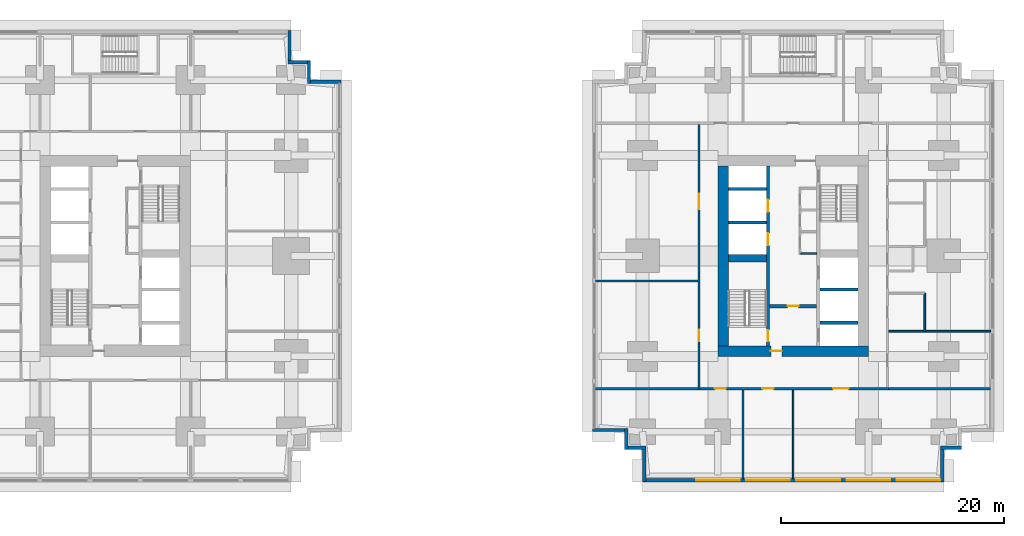
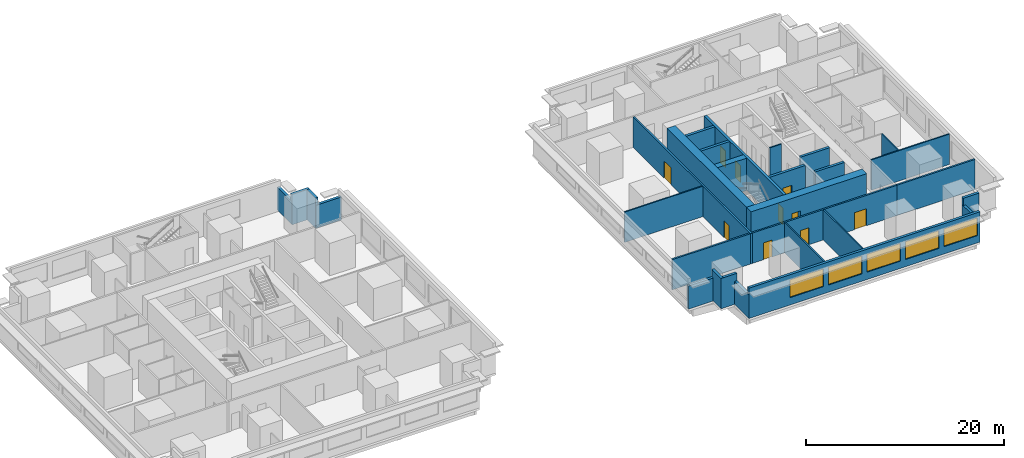
# One storey, part 6 of 12: 30 walls, 10 doors, 5 windows, 15 openings.
"""IFC4 building model written with IfcOpenShell, lengths in metres."""

from ifc_helpers import new_model, si_unit, direction, frame, frame_2d, origin, place, context, subcontext, project, spatial, rectangle, extrude, material, layer, layer_set, type_object, element, fill, save


model = new_model("IFC4")

# Units and contexts
model_context = context("Model", 3, precision=1e-05, world=origin(), true_north=direction((0.0, 1.0)))
body_context = subcontext(model_context, "Body", "Model", "MODEL_VIEW")
ifc_project = project(units=[si_unit("LENGTHUNIT", "METRE"), si_unit("AREAUNIT", "SQUARE_METRE"), si_unit("VOLUMEUNIT", "CUBIC_METRE"), si_unit("PLANEANGLEUNIT", "RADIAN"), si_unit("MASSUNIT", "GRAM", prefix="KILO")], contexts=[model_context])

# Site, building, storey
site_placement = place(None, origin())
site = spatial("IfcSite", under=ifc_project, at=site_placement, CompositionType="ELEMENT")
building_placement = place(site_placement, origin())
building = spatial("IfcBuilding", under=site, at=building_placement, Name="Namib Vertical Campus", CompositionType="ELEMENT")
storey_placement = place(building_placement, frame((0.0, 0.0, 45.0)))
storey = spatial("IfcBuildingStorey", under=building, at=storey_placement, Name="L10", CompositionType="ELEMENT", Elevation=45.0)

# Wall, openings, doors
ifc_material_1 = material(Name="Concrete C60/75", Category="concrete")
ifc_layer_1 = layer(ifc_material_1, 0.300048828125)
ifc_layer_set_1 = layer_set([ifc_layer_1], Name="Concrete C60/75")
wall_type_1 = type_object("IfcWallType", Name="Core inner wall 300", PredefinedType="SHEAR", material=ifc_layer_set_1)
wall_1_placement = place(storey_placement, frame((78.75, 12.199951171875, 0.0), z_axis=(0.0, 0.0, 1.0), x_axis=(0.0, 1.0, 0.0)))
wall_1 = element("IfcWall", 1, at=wall_1_placement, inside=storey, type_object=wall_type_1, Name="Core inner wall B L10 W1", PredefinedType="SHEAR", context=body_context, shape_type="SweptSolid", body=[
    extrude(rectangle(XDim=16.10009765625, YDim=0.300048828125, at=frame_2d((8.050048828125, 0.0))), origin(), (0.0, 0.0, 1.0), 4.0),
])
opening_1_placement = place(wall_1_placement, frame((0.39990234375, 0.0, 0.0)))
opening_1 = element("IfcOpeningElement", 2, at=opening_1_placement, cuts=wall_1, Name="Opening FD1", PredefinedType="OPENING", context=body_context, shape_type="SweptSolid", body=[
    extrude(rectangle(XDim=1.0, YDim=2.10009765625, at=frame_2d((0.5, 1.050048828125))), frame((0.0, 0.159912109375, 0.0), z_axis=(0.0, -1.0, 0.0), x_axis=(1.0, 0.0, 0.0)), (0.0, 0.0, 1.0), 0.320068359375),
])
opening_2_placement = place(wall_1_placement, frame((9.0, 0.0, 0.0)))
opening_2 = element("IfcOpeningElement", 3, at=opening_2_placement, cuts=wall_1, Name="Opening LD1", PredefinedType="OPENING", context=body_context, shape_type="SweptSolid", body=[
    extrude(rectangle(XDim=1.10009765625, YDim=2.10009765625, at=frame_2d((0.550048828125, 1.050048828125))), frame((0.0, 0.159912109375, 0.0), z_axis=(0.0, -1.0, 0.0), x_axis=(1.0, 0.0, 0.0)), (0.0, 0.0, 1.0), 0.320068359375),
])
opening_3_placement = place(wall_1_placement, frame((12.0, 0.0, 0.0)))
opening_3 = element("IfcOpeningElement", 4, at=opening_3_placement, cuts=wall_1, Name="Opening LD1", PredefinedType="OPENING", context=body_context, shape_type="SweptSolid", body=[
    extrude(rectangle(XDim=1.10009765625, YDim=2.10009765625, at=frame_2d((0.550048828125, 1.050048828125))), frame((0.0, 0.159912109375, 0.0), z_axis=(0.0, -1.0, 0.0), x_axis=(1.0, 0.0, 0.0)), (0.0, 0.0, 1.0), 0.320068359375),
])
ifc_material_2 = material(Name="Steel fire door", Category="steel")
door_type_1 = type_object("IfcDoorType", Name="Fire door 1000x2100", OperationType="SINGLE_SWING_RIGHT", PredefinedType="DOOR", material=ifc_material_2)
door_1_placement = place(opening_1_placement, origin())
door_1 = element("IfcDoor", 5, at=door_1_placement, inside=storey, type_object=door_type_1, Name="Stair door FD1 B L10 S1", OperationType="SINGLE_SWING_LEFT", OverallHeight=2.10009765625, OverallWidth=1.0, PredefinedType="DOOR", context=body_context, shape_type="SweptSolid", body=[
    extrude(rectangle(XDim=1.0, YDim=2.10009765625, at=frame_2d((0.5, 1.050048828125))), frame((0.0, 0.02490234375, 0.0), z_axis=(0.0, -1.0, 0.0), x_axis=(1.0, 0.0, 0.0)), (0.0, 0.0, 1.0), 0.050048828125),
])
fill(opening_1, door_1)
ifc_material_3 = material(Name="Stainless steel lift door", Category="steel")
door_type_2 = type_object("IfcDoorType", Name="Lift landing door 1100x2100", OperationType="DOUBLE_DOOR_SLIDING", PredefinedType="DOOR", material=ifc_material_3)
door_2_placement = place(opening_2_placement, origin())
door_2 = element("IfcDoor", 6, at=door_2_placement, inside=storey, type_object=door_type_2, Name="Lift landing door LD1 B-P1 L10", OperationType="DOUBLE_DOOR_SLIDING", OverallHeight=2.10009765625, OverallWidth=1.10009765625, PredefinedType="DOOR", context=body_context, shape_type="SweptSolid", body=[
    extrude(rectangle(XDim=1.10009765625, YDim=2.10009765625, at=frame_2d((0.550048828125, 1.050048828125))), frame((0.0, 0.02490234375, 0.0), z_axis=(0.0, -1.0, 0.0), x_axis=(1.0, 0.0, 0.0)), (0.0, 0.0, 1.0), 0.050048828125),
])
fill(opening_2, door_2)
door_3_placement = place(opening_3_placement, origin())
door_3 = element("IfcDoor", 7, at=door_3_placement, inside=storey, type_object=door_type_2, Name="Lift landing door LD1 B-P2 L10", OperationType="DOUBLE_DOOR_SLIDING", OverallHeight=2.10009765625, OverallWidth=1.10009765625, PredefinedType="DOOR", context=body_context, shape_type="SweptSolid", body=[
    extrude(rectangle(XDim=1.10009765625, YDim=2.10009765625, at=frame_2d((0.550048828125, 1.050048828125))), frame((0.0, 0.02490234375, 0.0), z_axis=(0.0, -1.0, 0.0), x_axis=(1.0, 0.0, 0.0)), (0.0, 0.0, 1.0), 0.050048828125),
])
fill(opening_3, door_3)

# Wall, opening, door
wall_2_placement = place(storey_placement, frame((78.89990234375, 15.75, 0.0), z_axis=(0.0, 0.0, 1.0), x_axis=(1.0, 0.0, 0.0)))
wall_2 = element("IfcWall", 8, at=wall_2_placement, inside=storey, type_object=wall_type_1, Name="Core inner wall B L10 W4", PredefinedType="SHEAR", context=body_context, shape_type="SweptSolid", body=[
    extrude(rectangle(XDim=4.2001953125, YDim=0.300048828125, at=frame_2d((2.10009765625, 0.0))), origin(), (0.0, 0.0, 1.0), 4.0),
])
opening_4_placement = place(wall_2_placement, frame((1.60009765625, 0.0, 0.0)))
opening_4 = element("IfcOpeningElement", 9, at=opening_4_placement, cuts=wall_2, Name="Opening FD5", PredefinedType="OPENING", context=body_context, shape_type="SweptSolid", body=[
    extrude(rectangle(XDim=1.0, YDim=2.10009765625, at=frame_2d((0.5, 1.050048828125))), frame((0.0, 0.159912109375, 0.0), z_axis=(0.0, -1.0, 0.0), x_axis=(1.0, 0.0, 0.0)), (0.0, 0.0, 1.0), 0.320068359375),
])
ifc_material_4 = material(Name="Steel fire door", Category="steel")
door_type_3 = type_object("IfcDoorType", Name="Fire door 1000x2100 120 min", OperationType="SINGLE_SWING_RIGHT", PredefinedType="DOOR", material=ifc_material_4)
door_4_placement = place(opening_4_placement, frame((1.0, 0.0, 0.0), z_axis=(0.0, 0.0, 1.0), x_axis=(-1.0, 0.0, 0.0)))
door_4 = element("IfcDoor", 10, at=door_4_placement, inside=storey, type_object=door_type_3, Name="Lobby door FD5 B L10", OperationType="SINGLE_SWING_RIGHT", OverallHeight=2.10009765625, OverallWidth=1.0, PredefinedType="DOOR", context=body_context, shape_type="SweptSolid", body=[
    extrude(rectangle(XDim=1.0, YDim=2.10009765625, at=frame_2d((0.5, 1.050048828125))), frame((0.0, 0.02490234375, 0.0), z_axis=(0.0, -1.0, 0.0), x_axis=(1.0, 0.0, 0.0)), (0.0, 0.0, 1.0), 0.050048828125),
])
fill(opening_4, door_4)

# Walls
for number, where, z_axis, x_axis, name in (
    (11, (83.39990234375, 14.25, 0.0), (0.0, 0.0, 1.0), (1.0, 0.0, 0.0), "Core inner wall B L10 W5"),
    (12, (83.39990234375, 17.25, 0.0), (0.0, 0.0, 1.0), (1.0, 0.0, 0.0), "Core inner wall B L10 W6"),
    (13, (75.199951171875, 23.25, 0.0), (0.0, 0.0, 1.0), (1.0, 0.0, 0.0), "Core inner wall B L10 W8"),
    (14, (75.199951171875, 26.25, 0.0), (0.0, 0.0, 1.0), (1.0, 0.0, 0.0), "Core inner wall B L10 W9"),
):
    element("IfcWall", number, at=place(storey_placement, frame(where, z_axis=z_axis, x_axis=x_axis)), inside=storey, type_object=wall_type_1, Name=name, PredefinedType="SHEAR", context=body_context, shape_type="SweptSolid", body=[
        extrude(rectangle(XDim=3.400146484375, YDim=0.300048828125, at=frame_2d((1.7001953125, 0.0))), origin(), (0.0, 0.0, 1.0), 4.0),
    ])
ifc_material_5 = material(Name="Concrete C60/75", Category="concrete")
ifc_layer_2 = layer(ifc_material_5, 0.699951171875)
ifc_layer_set_2 = layer_set([ifc_layer_2], Name="Concrete C60/75")
wall_type_2 = type_object("IfcWallType", Name="Core shear wall 700", PredefinedType="SHEAR", material=ifc_layer_set_2)
wall_3_placement = place(storey_placement, frame((75.199951171875, 20.050048828125, 0.0), z_axis=(0.0, 0.0, 1.0), x_axis=(1.0, 0.0, 0.0)))
element("IfcWall", 15, at=wall_3_placement, inside=storey, type_object=wall_type_2, Name="Core shear wall B L10 W3", PredefinedType="SHEAR", context=body_context, shape_type="SweptSolid", body=[
    extrude(rectangle(XDim=3.400146484375, YDim=0.699951171875, at=frame_2d((1.7001953125, 0.0))), origin(), (0.0, 0.0, 1.0), 4.0),
])

# Wall, opening, door
ifc_material_6 = material(Name="Concrete C60/75", Category="concrete")
ifc_layer_3 = layer(ifc_material_6, 0.949951171875)
ifc_layer_set_3 = layer_set([ifc_layer_3], Name="Concrete C60/75")
wall_type_3 = type_object("IfcWallType", Name="Core wall 950", PredefinedType="SHEAR", material=ifc_layer_set_3)
wall_4_placement = place(storey_placement, frame((74.25, 11.72509765625, 0.0), z_axis=(0.0, 0.0, 1.0), x_axis=(1.0, 0.0, 0.0)))
wall_4 = element("IfcWall", 16, at=wall_4_placement, inside=storey, type_object=wall_type_3, Name="Core wall B L10 1", PredefinedType="SHEAR", context=body_context, shape_type="SweptSolid", body=[
    extrude(rectangle(XDim=13.5, YDim=0.949951171875, at=frame_2d((6.75, 0.0))), origin(), (0.0, 0.0, 1.0), 4.0),
])
opening_5_placement = place(wall_4_placement, frame((4.75, 0.0, 0.0)))
opening_5 = element("IfcOpeningElement", 17, at=opening_5_placement, cuts=wall_4, Name="Opening FD5", PredefinedType="OPENING", context=body_context, shape_type="SweptSolid", body=[
    extrude(rectangle(XDim=1.0, YDim=2.10009765625, at=frame_2d((0.5, 1.050048828125))), frame((0.0, 0.48486328125, 0.0), z_axis=(0.0, -1.0, 0.0), x_axis=(1.0, 0.0, 0.0)), (0.0, 0.0, 1.0), 0.969970703125),
])
door_5_placement = place(opening_5_placement, origin())
door_5 = element("IfcDoor", 18, at=door_5_placement, inside=storey, type_object=door_type_3, Name="Firefighting lobby door FD5 B L10", OperationType="SINGLE_SWING_LEFT", OverallHeight=2.10009765625, OverallWidth=1.0, PredefinedType="DOOR", context=body_context, shape_type="SweptSolid", body=[
    extrude(rectangle(XDim=1.0, YDim=2.10009765625, at=frame_2d((0.5, 1.050048828125))), frame((0.0, 0.02490234375, 0.0), z_axis=(0.0, -1.0, 0.0), x_axis=(1.0, 0.0, 0.0)), (0.0, 0.0, 1.0), 0.050048828125),
])
fill(opening_5, door_5)

# Wall
wall_5_placement = place(storey_placement, frame((74.72509765625, 28.300048828125, 0.0), z_axis=(0.0, 0.0, 1.0), x_axis=(0.0, -1.0, 0.0)))
element("IfcWall", 19, at=wall_5_placement, inside=storey, type_object=wall_type_3, Name="Core wall B L10 4", PredefinedType="SHEAR", context=body_context, shape_type="SweptSolid", body=[
    extrude(rectangle(XDim=16.10009765625, YDim=0.949951171875, at=frame_2d((8.050048828125, 0.0))), origin(), (0.0, 0.0, 1.0), 4.0),
])

# Wall, openings, doors
ifc_material_7 = material(Name="Concrete masonry", Category="masonry")
ifc_layer_4 = layer(ifc_material_7, 0.199951171875)
ifc_layer_set_4 = layer_set([ifc_layer_4], Name="Corridor wall 200")
wall_type_4 = type_object("IfcWallType", Name="Corridor wall 200", PredefinedType="SOLIDWALL", material=ifc_layer_set_4)
wall_6_placement = place(storey_placement, frame((72.64990234375, 8.35009765625, 0.0), z_axis=(0.0, 0.0, 1.0), x_axis=(1.0, 0.0, 0.0)))
wall_6 = element("IfcWall", 20, at=wall_6_placement, inside=storey, type_object=wall_type_4, Name="Corridor wall B L10 CS", PredefinedType="SOLIDWALL", context=body_context, shape_type="SweptSolid", body=[
    extrude(rectangle(XDim=16.900146484375, YDim=0.199951171875, at=frame_2d((8.4501953125, 0.0))), origin(), (0.0, 0.0, 1.0), 3.75),
])
opening_6_placement = place(wall_6_placement, frame((1.324951171875, 0.0, 0.0)))
opening_6 = element("IfcOpeningElement", 21, at=opening_6_placement, cuts=wall_6, Name="Opening CD1", PredefinedType="OPENING", context=body_context, shape_type="SweptSolid", body=[
    extrude(rectangle(XDim=1.0, YDim=2.10009765625, at=frame_2d((0.5, 1.050048828125))), frame((0.0, 0.10986328125, 0.0), z_axis=(0.0, -1.0, 0.0), x_axis=(1.0, 0.0, 0.0)), (0.0, 0.0, 1.0), 0.219970703125),
])
opening_7_placement = place(wall_6_placement, frame((5.60009765625, 0.0, 0.0)))
opening_7 = element("IfcOpeningElement", 22, at=opening_7_placement, cuts=wall_6, Name="Opening CD1", PredefinedType="OPENING", context=body_context, shape_type="SweptSolid", body=[
    extrude(rectangle(XDim=1.0, YDim=2.10009765625, at=frame_2d((0.5, 1.050048828125))), frame((0.0, 0.10986328125, 0.0), z_axis=(0.0, -1.0, 0.0), x_axis=(1.0, 0.0, 0.0)), (0.0, 0.0, 1.0), 0.219970703125),
])
opening_8_placement = place(wall_6_placement, frame((11.925048828125, 0.0, 0.0)))
opening_8 = element("IfcOpeningElement", 23, at=opening_8_placement, cuts=wall_6, Name="Opening LB1", PredefinedType="OPENING", context=body_context, shape_type="SweptSolid", body=[
    extrude(rectangle(XDim=1.39990234375, YDim=2.10009765625, at=frame_2d((0.699951171875, 1.050048828125))), frame((0.0, 0.10986328125, 0.0), z_axis=(0.0, -1.0, 0.0), x_axis=(1.0, 0.0, 0.0)), (0.0, 0.0, 1.0), 0.219970703125),
])
ifc_material_8 = material(Name="Timber fire door leaf", Category="wood")
door_type_4 = type_object("IfcDoorType", Name="Corridor door 1000x2100 20 min", OperationType="SINGLE_SWING_LEFT", PredefinedType="DOOR", material=ifc_material_8)
door_6_placement = place(opening_6_placement, frame((1.0, 0.0, 0.0), z_axis=(0.0, 0.0, 1.0), x_axis=(-1.0, 0.0, 0.0)))
door_6 = element("IfcDoor", 24, at=door_6_placement, inside=storey, type_object=door_type_4, Name="Door CD1 B10-01", OperationType="SINGLE_SWING_LEFT", OverallHeight=2.10009765625, OverallWidth=1.0, PredefinedType="DOOR", context=body_context, shape_type="SweptSolid", body=[
    extrude(rectangle(XDim=1.0, YDim=2.10009765625, at=frame_2d((0.5, 1.050048828125))), frame((0.0, 0.02490234375, 0.0), z_axis=(0.0, -1.0, 0.0), x_axis=(1.0, 0.0, 0.0)), (0.0, 0.0, 1.0), 0.050048828125),
])
fill(opening_6, door_6)
door_7_placement = place(opening_7_placement, frame((1.0, 0.0, 0.0), z_axis=(0.0, 0.0, 1.0), x_axis=(-1.0, 0.0, 0.0)))
door_7 = element("IfcDoor", 25, at=door_7_placement, inside=storey, type_object=door_type_4, Name="Door CD1 B10-02", OperationType="SINGLE_SWING_RIGHT", OverallHeight=2.10009765625, OverallWidth=1.0, PredefinedType="DOOR", context=body_context, shape_type="SweptSolid", body=[
    extrude(rectangle(XDim=1.0, YDim=2.10009765625, at=frame_2d((0.5, 1.050048828125))), frame((0.0, 0.02490234375, 0.0), z_axis=(0.0, -1.0, 0.0), x_axis=(1.0, 0.0, 0.0)), (0.0, 0.0, 1.0), 0.050048828125),
])
fill(opening_7, door_7)
ifc_material_9 = material(Name="Timber fire door leaf", Category="wood")
door_type_5 = type_object("IfcDoorType", Name="Laboratory door 1400x2100 leaf and a half", OperationType="DOUBLE_DOOR_SINGLE_SWING", PredefinedType="DOOR", material=ifc_material_9)
door_8_placement = place(opening_8_placement, frame((1.39990234375, 0.0, 0.0), z_axis=(0.0, 0.0, 1.0), x_axis=(-1.0, 0.0, 0.0)))
door_8 = element("IfcDoor", 26, at=door_8_placement, inside=storey, type_object=door_type_5, Name="Door LB1 B10-03", OperationType="DOUBLE_DOOR_SINGLE_SWING", OverallHeight=2.10009765625, OverallWidth=1.39990234375, PredefinedType="DOOR", context=body_context, shape_type="SweptSolid", body=[
    extrude(rectangle(XDim=1.39990234375, YDim=2.10009765625, at=frame_2d((0.699951171875, 1.050048828125))), frame((0.0, 0.02490234375, 0.0), z_axis=(0.0, -1.0, 0.0), x_axis=(1.0, 0.0, 0.0)), (0.0, 0.0, 1.0), 0.050048828125),
])
fill(opening_8, door_8)

wall_7_placement = place(storey_placement, frame((72.550048828125, 32.050048828125, 0.0), z_axis=(0.0, 0.0, 1.0), x_axis=(0.0, -1.0, 0.0)))
wall_7 = element("IfcWall", 27, at=wall_7_placement, inside=storey, type_object=wall_type_4, Name="Corridor wall B L10 CW", PredefinedType="SOLIDWALL", context=body_context, shape_type="SweptSolid", body=[
    extrude(rectangle(XDim=23.800048828125, YDim=0.199951171875, at=frame_2d((11.89990234375, 0.0))), origin(), (0.0, 0.0, 1.0), 3.75),
])
opening_9_placement = place(wall_7_placement, frame((18.425048828125, 0.0, 0.0)))
opening_9 = element("IfcOpeningElement", 28, at=opening_9_placement, cuts=wall_7, Name="Opening CD1", PredefinedType="OPENING", context=body_context, shape_type="SweptSolid", body=[
    extrude(rectangle(XDim=1.0, YDim=2.10009765625, at=frame_2d((0.5, 1.050048828125))), frame((0.0, 0.10986328125, 0.0), z_axis=(0.0, -1.0, 0.0), x_axis=(1.0, 0.0, 0.0)), (0.0, 0.0, 1.0), 0.219970703125),
])
opening_10_placement = place(wall_7_placement, frame((6.22509765625, 0.0, 0.0)))
opening_10 = element("IfcOpeningElement", 29, at=opening_10_placement, cuts=wall_7, Name="Opening LB1", PredefinedType="OPENING", context=body_context, shape_type="SweptSolid", body=[
    extrude(rectangle(XDim=1.39990234375, YDim=2.10009765625, at=frame_2d((0.699951171875, 1.050048828125))), frame((0.0, 0.10986328125, 0.0), z_axis=(0.0, -1.0, 0.0), x_axis=(1.0, 0.0, 0.0)), (0.0, 0.0, 1.0), 0.219970703125),
])
door_9_placement = place(opening_9_placement, frame((1.0, 0.0, 0.0), z_axis=(0.0, 0.0, 1.0), x_axis=(-1.0, 0.0, 0.0)))
door_9 = element("IfcDoor", 30, at=door_9_placement, inside=storey, type_object=door_type_4, Name="Door CD1 B10-14", OperationType="SINGLE_SWING_RIGHT", OverallHeight=2.10009765625, OverallWidth=1.0, PredefinedType="DOOR", context=body_context, shape_type="SweptSolid", body=[
    extrude(rectangle(XDim=1.0, YDim=2.10009765625, at=frame_2d((0.5, 1.050048828125))), frame((0.0, 0.02490234375, 0.0), z_axis=(0.0, -1.0, 0.0), x_axis=(1.0, 0.0, 0.0)), (0.0, 0.0, 1.0), 0.050048828125),
])
fill(opening_9, door_9)
door_10_placement = place(opening_10_placement, frame((1.39990234375, 0.0, 0.0), z_axis=(0.0, 0.0, 1.0), x_axis=(-1.0, 0.0, 0.0)))
door_10 = element("IfcDoor", 31, at=door_10_placement, inside=storey, type_object=door_type_5, Name="Door LB1 B10-15", OperationType="DOUBLE_DOOR_SINGLE_SWING", OverallHeight=2.10009765625, OverallWidth=1.39990234375, PredefinedType="DOOR", context=body_context, shape_type="SweptSolid", body=[
    extrude(rectangle(XDim=1.39990234375, YDim=2.10009765625, at=frame_2d((0.699951171875, 1.050048828125))), frame((0.0, 0.02490234375, 0.0), z_axis=(0.0, -1.0, 0.0), x_axis=(1.0, 0.0, 0.0)), (0.0, 0.0, 1.0), 0.050048828125),
])
fill(opening_10, door_10)

# Walls
for number, where, z_axis, x_axis, name in (
    (32, (63.300048828125, 8.35009765625, 0.0), (0.0, 0.0, 1.0), (1.0, 0.0, 0.0), "Partition B L10 BSW"),
    (33, (89.550048828125, 8.35009765625, 0.0), (0.0, 0.0, 1.0), (1.0, 0.0, 0.0), "Partition B L10 BSE"),
):
    element("IfcWall", number, at=place(storey_placement, frame(where, z_axis=z_axis, x_axis=x_axis)), inside=storey, type_object=wall_type_4, Name=name, PredefinedType="SOLIDWALL", context=body_context, shape_type="SweptSolid", body=[
        extrude(rectangle(XDim=9.14990234375, YDim=0.199951171875, at=frame_2d((4.574951171875, 0.0))), origin(), (0.0, 0.0, 1.0), 3.75),
    ])
ifc_material_10 = material(Name="Concrete C40/50", Category="concrete")
ifc_layer_5 = layer(ifc_material_10, 0.300048828125)
ifc_layer_set_5 = layer_set([ifc_layer_5], Name="Concrete C40/50")
wall_type_5 = type_object("IfcWallType", Name="External wall 300 board-marked concrete", PredefinedType="STANDARD", material=ifc_layer_set_5)
wall_8_placement = place(storey_placement, frame((40.47998046875, 35.85009765625, 0.0), z_axis=(0.0, 0.0, 1.0), x_axis=(-1.0, 0.0, 0.0)))
element("IfcWall", 34, at=wall_8_placement, inside=storey, type_object=wall_type_5, Name="External wall L10 F07", PredefinedType="STANDARD", context=body_context, shape_type="SweptSolid", body=[
    extrude(rectangle(XDim=3.010009765625, YDim=0.300048828125, at=frame_2d((1.5048828125, 0.0))), origin(), (0.0, 0.0, 1.0), 2.85009765625),
])
for number, where, z_axis, x_axis, name in (
    (35, (37.60009765625, 35.719970703125, 0.0), (0.0, 0.0, 1.0), (0.0, 1.0, 0.0), "External wall L10 F08"),
    (36, (37.72998046875, 37.60009765625, 0.0), (0.0, 0.0, 1.0), (-1.0, 0.0, 0.0), "External wall L10 F09"),
):
    element("IfcWall", number, at=place(storey_placement, frame(where, z_axis=z_axis, x_axis=x_axis)), inside=storey, type_object=wall_type_5, Name=name, PredefinedType="STANDARD", context=body_context, shape_type="SweptSolid", body=[
        extrude(rectangle(XDim=2.010009765625, YDim=0.300048828125, at=frame_2d((1.0048828125, 0.0))), origin(), (0.0, 0.0, 1.0), 3.75),
    ])
wall_9_placement = place(storey_placement, frame((35.85009765625, 37.469970703125, 0.0), z_axis=(0.0, 0.0, 1.0), x_axis=(0.0, 1.0, 0.0)))
element("IfcWall", 37, at=wall_9_placement, inside=storey, type_object=wall_type_5, Name="External wall L10 F10", PredefinedType="STANDARD", context=body_context, shape_type="SweptSolid", body=[
    extrude(rectangle(XDim=3.010009765625, YDim=0.300048828125, at=frame_2d((1.5048828125, 0.0))), origin(), (0.0, 0.0, 1.0), 2.85009765625),
])

# Wall, openings, windows
wall_10_placement = place(storey_placement, frame((67.52001953125, 0.14990234375, 0.0), z_axis=(0.0, 0.0, 1.0), x_axis=(1.0, 0.0, 0.0)))
wall_10 = element("IfcWall", 38, at=wall_10_placement, inside=storey, type_object=wall_type_5, Name="External wall L10 F01", PredefinedType="STANDARD", context=body_context, shape_type="SweptSolid", body=[
    extrude(rectangle(XDim=26.9599609375, YDim=0.300048828125, at=frame_2d((13.47998046875, 0.0))), origin(), (0.0, 0.0, 1.0), 3.75),
])
opening_11_placement = place(wall_10_placement, frame((4.780029296875, 0.0, 0.89990234375)))
opening_11 = element("IfcOpeningElement", 39, at=opening_11_placement, cuts=wall_10, Name="Opening W1", PredefinedType="OPENING", context=body_context, shape_type="SweptSolid", body=[
    extrude(rectangle(XDim=3.89990234375, YDim=2.199951171875, at=frame_2d((1.949951171875, 1.10009765625))), frame((0.0, 0.159912109375, 0.0), z_axis=(0.0, -1.0, 0.0), x_axis=(1.0, 0.0, 0.0)), (0.0, 0.0, 1.0), 0.320068359375),
])
opening_12_placement = place(wall_10_placement, frame((9.280029296875, 0.0, 0.89990234375)))
opening_12 = element("IfcOpeningElement", 40, at=opening_12_placement, cuts=wall_10, Name="Opening W1", PredefinedType="OPENING", context=body_context, shape_type="SweptSolid", body=[
    extrude(rectangle(XDim=3.89990234375, YDim=2.199951171875, at=frame_2d((1.949951171875, 1.10009765625))), frame((0.0, 0.159912109375, 0.0), z_axis=(0.0, -1.0, 0.0), x_axis=(1.0, 0.0, 0.0)), (0.0, 0.0, 1.0), 0.320068359375),
])
opening_13_placement = place(wall_10_placement, frame((13.780029296875, 0.0, 0.89990234375)))
opening_13 = element("IfcOpeningElement", 41, at=opening_13_placement, cuts=wall_10, Name="Opening W1", PredefinedType="OPENING", context=body_context, shape_type="SweptSolid", body=[
    extrude(rectangle(XDim=3.89990234375, YDim=2.199951171875, at=frame_2d((1.949951171875, 1.10009765625))), frame((0.0, 0.159912109375, 0.0), z_axis=(0.0, -1.0, 0.0), x_axis=(1.0, 0.0, 0.0)), (0.0, 0.0, 1.0), 0.320068359375),
])
opening_14_placement = place(wall_10_placement, frame((18.280029296875, 0.0, 0.89990234375)))
opening_14 = element("IfcOpeningElement", 42, at=opening_14_placement, cuts=wall_10, Name="Opening W1", PredefinedType="OPENING", context=body_context, shape_type="SweptSolid", body=[
    extrude(rectangle(XDim=3.89990234375, YDim=2.199951171875, at=frame_2d((1.949951171875, 1.10009765625))), frame((0.0, 0.159912109375, 0.0), z_axis=(0.0, -1.0, 0.0), x_axis=(1.0, 0.0, 0.0)), (0.0, 0.0, 1.0), 0.320068359375),
])
opening_15_placement = place(wall_10_placement, frame((22.780029296875, 0.0, 0.89990234375)))
opening_15 = element("IfcOpeningElement", 43, at=opening_15_placement, cuts=wall_10, Name="Opening W1", PredefinedType="OPENING", context=body_context, shape_type="SweptSolid", body=[
    extrude(rectangle(XDim=3.89990234375, YDim=2.199951171875, at=frame_2d((1.949951171875, 1.10009765625))), frame((0.0, 0.159912109375, 0.0), z_axis=(0.0, -1.0, 0.0), x_axis=(1.0, 0.0, 0.0)), (0.0, 0.0, 1.0), 0.320068359375),
])
ifc_material_11 = material(Name="Dark tinted glass in black aluminium frame", Category="aluminium")
window_type = type_object("IfcWindowType", Name="Ribbon window 3900x2200", PartitioningType="SINGLE_PANEL", PredefinedType="WINDOW", material=ifc_material_11)
window_1_placement = place(opening_11_placement, origin())
window_1 = element("IfcWindow", 44, at=window_1_placement, inside=storey, type_object=window_type, Name="Window W1 L10 F01-2", OverallHeight=2.199951171875, OverallWidth=3.89990234375, PartitioningType="SINGLE_PANEL", PredefinedType="WINDOW", context=body_context, shape_type="SweptSolid", body=[
    extrude(rectangle(XDim=3.89990234375, YDim=2.199951171875, at=frame_2d((1.949951171875, 1.10009765625))), frame((0.0, 0.030029296875, 0.0), z_axis=(0.0, -1.0, 0.0), x_axis=(1.0, 0.0, 0.0)), (0.0, 0.0, 1.0), 0.06005859375),
])
fill(opening_11, window_1)
window_2_placement = place(opening_12_placement, origin())
window_2 = element("IfcWindow", 45, at=window_2_placement, inside=storey, type_object=window_type, Name="Window W1 L10 F01-3", OverallHeight=2.199951171875, OverallWidth=3.89990234375, PartitioningType="SINGLE_PANEL", PredefinedType="WINDOW", context=body_context, shape_type="SweptSolid", body=[
    extrude(rectangle(XDim=3.89990234375, YDim=2.199951171875, at=frame_2d((1.949951171875, 1.10009765625))), frame((0.0, 0.030029296875, 0.0), z_axis=(0.0, -1.0, 0.0), x_axis=(1.0, 0.0, 0.0)), (0.0, 0.0, 1.0), 0.06005859375),
])
fill(opening_12, window_2)
window_3_placement = place(opening_13_placement, origin())
window_3 = element("IfcWindow", 46, at=window_3_placement, inside=storey, type_object=window_type, Name="Window W1 L10 F01-4", OverallHeight=2.199951171875, OverallWidth=3.89990234375, PartitioningType="SINGLE_PANEL", PredefinedType="WINDOW", context=body_context, shape_type="SweptSolid", body=[
    extrude(rectangle(XDim=3.89990234375, YDim=2.199951171875, at=frame_2d((1.949951171875, 1.10009765625))), frame((0.0, 0.030029296875, 0.0), z_axis=(0.0, -1.0, 0.0), x_axis=(1.0, 0.0, 0.0)), (0.0, 0.0, 1.0), 0.06005859375),
])
fill(opening_13, window_3)
window_4_placement = place(opening_14_placement, origin())
window_4 = element("IfcWindow", 47, at=window_4_placement, inside=storey, type_object=window_type, Name="Window W1 L10 F01-5", OverallHeight=2.199951171875, OverallWidth=3.89990234375, PartitioningType="SINGLE_PANEL", PredefinedType="WINDOW", context=body_context, shape_type="SweptSolid", body=[
    extrude(rectangle(XDim=3.89990234375, YDim=2.199951171875, at=frame_2d((1.949951171875, 1.10009765625))), frame((0.0, 0.030029296875, 0.0), z_axis=(0.0, -1.0, 0.0), x_axis=(1.0, 0.0, 0.0)), (0.0, 0.0, 1.0), 0.06005859375),
])
fill(opening_14, window_4)
window_5_placement = place(opening_15_placement, origin())
window_5 = element("IfcWindow", 48, at=window_5_placement, inside=storey, type_object=window_type, Name="Window W1 L10 F01-6", OverallHeight=2.199951171875, OverallWidth=3.89990234375, PartitioningType="SINGLE_PANEL", PredefinedType="WINDOW", context=body_context, shape_type="SweptSolid", body=[
    extrude(rectangle(XDim=3.89990234375, YDim=2.199951171875, at=frame_2d((1.949951171875, 1.10009765625))), frame((0.0, 0.030029296875, 0.0), z_axis=(0.0, -1.0, 0.0), x_axis=(1.0, 0.0, 0.0)), (0.0, 0.0, 1.0), 0.06005859375),
])
fill(opening_15, window_5)

# Walls
wall_11_placement = place(storey_placement, frame((94.35009765625, 0.02001953125, 0.0), z_axis=(0.0, 0.0, 1.0), x_axis=(0.0, 1.0, 0.0)))
element("IfcWall", 49, at=wall_11_placement, inside=storey, type_object=wall_type_5, Name="External wall L10 F02", PredefinedType="STANDARD", context=body_context, shape_type="SweptSolid", body=[
    extrude(rectangle(XDim=3.159912109375, YDim=0.300048828125, at=frame_2d((1.580078125, 0.0))), origin(), (0.0, 0.0, 1.0), 2.85009765625),
])
wall_12_placement = place(storey_placement, frame((94.219970703125, 3.050048828125, 0.0), z_axis=(0.0, 0.0, 1.0), x_axis=(1.0, 0.0, 0.0)))
element("IfcWall", 50, at=wall_12_placement, inside=storey, type_object=wall_type_5, Name="External wall L10 F03", PredefinedType="STANDARD", context=body_context, shape_type="SweptSolid", body=[
    extrude(rectangle(XDim=1.860107421875, YDim=0.300048828125, at=frame_2d((0.93017578125, 0.0))), origin(), (0.0, 0.0, 1.0), 3.75),
])
wall_13_placement = place(storey_placement, frame((63.02001953125, 4.64990234375, 0.0), z_axis=(0.0, 0.0, 1.0), x_axis=(1.0, 0.0, 0.0)))
element("IfcWall", 51, at=wall_13_placement, inside=storey, type_object=wall_type_5, Name="External wall L10 F17", PredefinedType="STANDARD", context=body_context, shape_type="SweptSolid", body=[
    extrude(rectangle(XDim=3.159912109375, YDim=0.300048828125, at=frame_2d((1.580078125, 0.0))), origin(), (0.0, 0.0, 1.0), 2.85009765625),
])
for number, where, z_axis, x_axis, name in (
    (52, (66.050048828125, 4.780029296875, 0.0), (0.0, 0.0, 1.0), (0.0, -1.0, 0.0), "External wall L10 F18"),
    (53, (65.919921875, 3.050048828125, 0.0), (0.0, 0.0, 1.0), (1.0, 0.0, 0.0), "External wall L10 F19"),
):
    element("IfcWall", number, at=place(storey_placement, frame(where, z_axis=z_axis, x_axis=x_axis)), inside=storey, type_object=wall_type_5, Name=name, PredefinedType="STANDARD", context=body_context, shape_type="SweptSolid", body=[
        extrude(rectangle(XDim=1.860107421875, YDim=0.300048828125, at=frame_2d((0.93017578125, 0.0))), origin(), (0.0, 0.0, 1.0), 3.75),
    ])
wall_14_placement = place(storey_placement, frame((67.64990234375, 3.179931640625, 0.0), z_axis=(0.0, 0.0, 1.0), x_axis=(0.0, -1.0, 0.0)))
element("IfcWall", 54, at=wall_14_placement, inside=storey, type_object=wall_type_5, Name="External wall L10 F20", PredefinedType="STANDARD", context=body_context, shape_type="SweptSolid", body=[
    extrude(rectangle(XDim=3.159912109375, YDim=0.300048828125, at=frame_2d((1.580078125, 0.0))), origin(), (0.0, 0.0, 1.0), 2.85009765625),
])
ifc_material_12 = material(Name="Gypsum board on steel studs", Category="steel")
ifc_layer_6 = layer(ifc_material_12, 0.14990234375)
ifc_layer_set_6 = layer_set([ifc_layer_6], Name="Gypsum board on steel studs")
wall_type_6 = type_object("IfcWallType", Name="Partition 150", PredefinedType="PARTITIONING", material=ifc_layer_set_6)
wall_15_placement = place(storey_placement, frame((81.699951171875, 20.47509765625, 0.0), z_axis=(0.0, 0.0, 1.0), x_axis=(1.0, 0.0, 0.0)))
element("IfcWall", 55, at=wall_15_placement, inside=storey, type_object=wall_type_6, Name="Partition B L10 Records store and Cleaners' store and Linen store end 1", PredefinedType="PARTITIONING", context=body_context, shape_type="SweptSolid", body=[
    extrude(rectangle(XDim=1.400146484375, YDim=0.14990234375, at=frame_2d((0.7001953125, 0.0))), origin(), (0.0, 0.0, 1.0), 3.75),
])
for number, where, z_axis, x_axis, name in (
    (56, (76.5, 0.300048828125, 0.0), (0.0, 0.0, 1.0), (0.0, 1.0, 0.0), "Partition B L10 PS1"),
    (57, (81.0, 0.300048828125, 0.0), (0.0, 0.0, 1.0), (0.0, 1.0, 0.0), "Partition B L10 PS2"),
):
    element("IfcWall", number, at=place(storey_placement, frame(where, z_axis=z_axis, x_axis=x_axis)), inside=storey, type_object=wall_type_6, Name=name, PredefinedType="PARTITIONING", context=body_context, shape_type="SweptSolid", body=[
        extrude(rectangle(XDim=7.949951171875, YDim=0.14990234375, at=frame_2d((3.97509765625, 0.0))), origin(), (0.0, 0.0, 1.0), 3.75),
    ])
for number, where, z_axis, x_axis, name in (
    (58, (89.550048828125, 13.5, 0.0), (0.0, 0.0, 1.0), (1.0, 0.0, 0.0), "Partition B L10 PE1"),
    (59, (63.300048828125, 18.0, 0.0), (0.0, 0.0, 1.0), (1.0, 0.0, 0.0), "Partition B L10 PW1"),
):
    element("IfcWall", number, at=place(storey_placement, frame(where, z_axis=z_axis, x_axis=x_axis)), inside=storey, type_object=wall_type_6, Name=name, PredefinedType="PARTITIONING", context=body_context, shape_type="SweptSolid", body=[
        extrude(rectangle(XDim=9.14990234375, YDim=0.14990234375, at=frame_2d((4.574951171875, 0.0))), origin(), (0.0, 0.0, 1.0), 3.75),
    ])
wall_16_placement = place(storey_placement, frame((92.800048828125, 13.5, 0.0), z_axis=(0.0, 0.0, 1.0), x_axis=(0.0, 1.0, 0.0)))
element("IfcWall", 60, at=wall_16_placement, inside=storey, type_object=wall_type_6, Name="Partition B L10 WB1", PredefinedType="PARTITIONING", context=body_context, shape_type="SweptSolid", body=[
    extrude(rectangle(XDim=3.39990234375, YDim=0.14990234375, at=frame_2d((1.699951171875, 0.0))), origin(), (0.0, 0.0, 1.0), 3.75),
])

save(model, "model.ifc")
